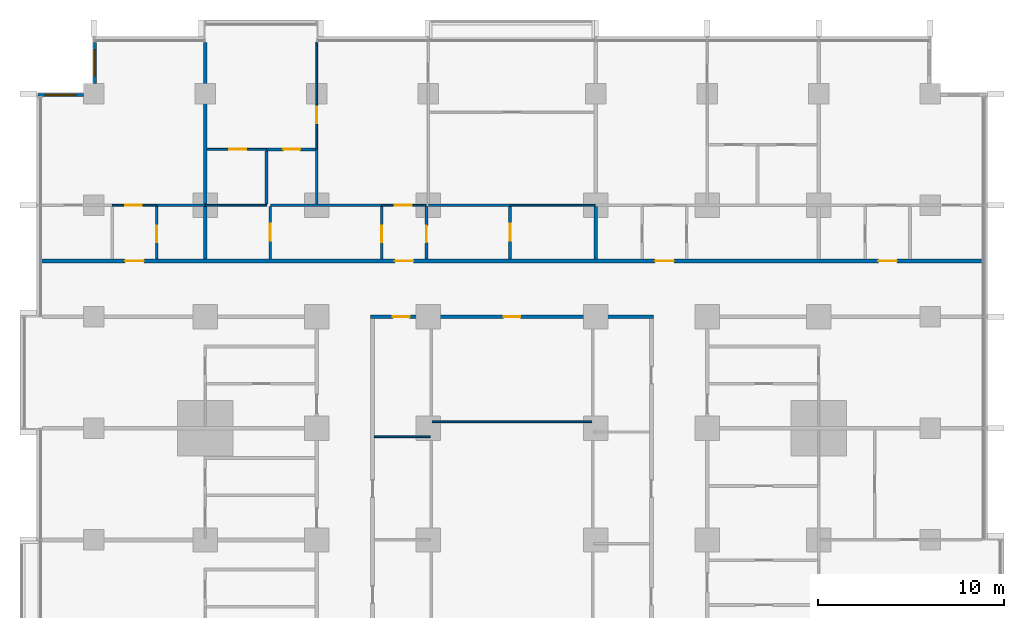
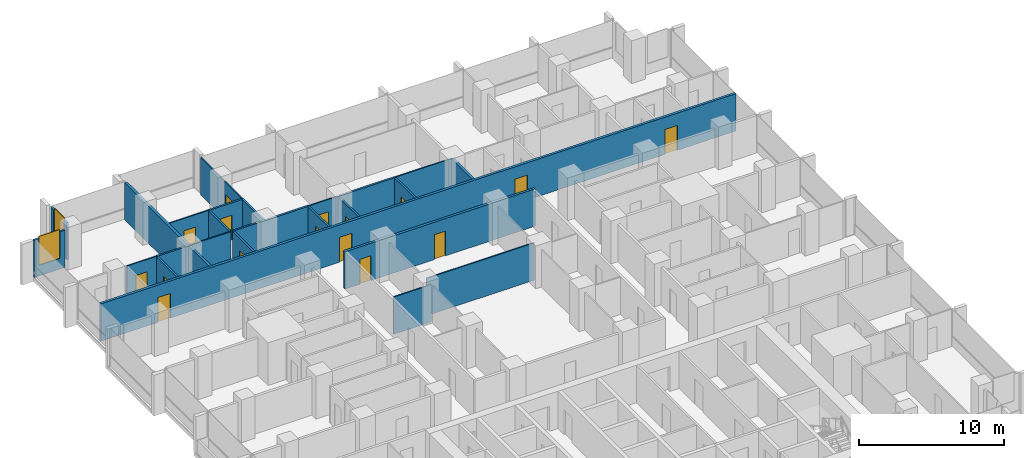
# One storey, part 11 of 18: 26 walls, 16 doors, 2 windows, 18 openings.
"""IFC4 building model written with IfcOpenShell, lengths in metres."""

from ifc_helpers import new_model, si_unit, direction, frame, frame_2d, origin, place, context, subcontext, project, spatial, rectangle, extrude, material, layer, layer_set, type_object, element, fill, save


model = new_model("IFC4")

# Units and contexts
model_context = context("Model", 3, precision=1e-05, world=origin(), true_north=direction((0.0, 1.0)))
body_context = subcontext(model_context, "Body", "Model", "MODEL_VIEW")
ifc_project = project(units=[si_unit("LENGTHUNIT", "METRE"), si_unit("AREAUNIT", "SQUARE_METRE"), si_unit("VOLUMEUNIT", "CUBIC_METRE"), si_unit("PLANEANGLEUNIT", "RADIAN"), si_unit("MASSUNIT", "GRAM", prefix="KILO")], contexts=[model_context])

# Site, building, storey
site_placement = place(None, origin())
site = spatial("IfcSite", under=ifc_project, at=site_placement, CompositionType="ELEMENT")
building_placement = place(site_placement, origin())
building = spatial("IfcBuilding", under=site, at=building_placement, Name="Finial Court Residences", CompositionType="ELEMENT")
storey_placement = place(building_placement, frame((0.0, 0.0, 72.10009765625)))
storey = spatial("IfcBuildingStorey", under=building, at=storey_placement, Name="L17", CompositionType="ELEMENT", Elevation=72.10009765625)

# Walls
ifc_material_1 = material(Name="Gypsum board")
ifc_layer_1 = layer(ifc_material_1, 0.02490234375)
ifc_material_2 = material(Name="Acoustic mineral wool in double frame")
ifc_layer_2 = layer(ifc_material_2, 0.14990234375)
ifc_layer_3 = layer(ifc_material_1, 0.02490234375)
ifc_layer_set_1 = layer_set([ifc_layer_1, ifc_layer_2, ifc_layer_3], Name="Acoustic party wall 200, 1 hour")
wall_type_1 = type_object("IfcWallType", Name="Acoustic party wall 200, 1 hour", PredefinedType="PARTITIONING", material=ifc_layer_set_1)
wall_1_placement = place(storey_placement, frame((-16.5, 16.60009765625, 0.0), z_axis=(0.0, 0.0, 1.0), x_axis=(0.0, 1.0, 0.0)))
element("IfcWall", 1, at=wall_1_placement, inside=storey, type_object=wall_type_1, Name="Partition L17-061", PredefinedType="PARTITIONING", context=body_context, shape_type="SweptSolid", body=[
    extrude(rectangle(XDim=2.824951171875, YDim=0.199951171875, at=frame_2d((1.41259765625, 0.0))), origin(), (0.0, 0.0, 1.0), 3.14990234375),
])
wall_2_placement = place(storey_placement, frame((-16.5, 19.574951171875, 0.0), z_axis=(0.0, 0.0, 1.0), x_axis=(0.0, 1.0, 0.0)))
element("IfcWall", 2, at=wall_2_placement, inside=storey, type_object=wall_type_1, Name="Partition L17-062", PredefinedType="PARTITIONING", context=body_context, shape_type="SweptSolid", body=[
    extrude(rectangle(XDim=8.675048828125, YDim=0.199951171875, at=frame_2d((4.33740234375, 0.0))), origin(), (0.0, 0.0, 1.0), 3.14990234375),
])
wall_3_placement = place(storey_placement, frame((4.5, 16.60009765625, 0.0), z_axis=(0.0, 0.0, 1.0), x_axis=(0.0, 1.0, 0.0)))
element("IfcWall", 3, at=wall_3_placement, inside=storey, type_object=wall_type_1, Name="Partition L17-079", PredefinedType="PARTITIONING", context=body_context, shape_type="SweptSolid", body=[
    extrude(rectangle(XDim=2.824951171875, YDim=0.199951171875, at=frame_2d((1.41259765625, 0.0))), origin(), (0.0, 0.0, 1.0), 3.14990234375),
])

# Wall, openings, doors
ifc_layer_4 = layer(ifc_material_1, 0.02490234375)
ifc_layer_5 = layer(ifc_material_2, 0.14990234375)
ifc_layer_6 = layer(ifc_material_1, 0.02490234375)
ifc_layer_set_2 = layer_set([ifc_layer_4, ifc_layer_5, ifc_layer_6], Name="Corridor wall 200, 1 hour")
wall_type_2 = type_object("IfcWallType", Name="Corridor wall 200, 1 hour", PredefinedType="PARTITIONING", material=ifc_layer_set_2)
wall_4_placement = place(storey_placement, frame((-7.60009765625, 13.5, 0.0), z_axis=(0.0, 0.0, 1.0), x_axis=(1.0, 0.0, 0.0)))
wall_4 = element("IfcWall", 4, at=wall_4_placement, inside=storey, type_object=wall_type_2, Name="Partition L17-033", PredefinedType="PARTITIONING", context=body_context, shape_type="SweptSolid", body=[
    extrude(rectangle(XDim=15.2001953125, YDim=0.199951171875, at=frame_2d((7.60009765625, 0.0))), origin(), (0.0, 0.0, 1.0), 3.14990234375),
])
opening_1_placement = place(wall_4_placement, frame((1.199951171875, 0.0, 0.0)))
opening_1 = element("IfcOpeningElement", 5, at=opening_1_placement, cuts=wall_4, Name="Opening L17-D015", PredefinedType="OPENING", context=body_context, shape_type="SweptSolid", body=[
    extrude(rectangle(XDim=0.89990234375, YDim=2.10009765625, at=frame_2d((0.449951171875, 1.050048828125))), frame((0.0, 0.10986328125, 0.0), z_axis=(0.0, -1.0, 0.0), x_axis=(1.0, 0.0, 0.0)), (0.0, 0.0, 1.0), 0.219970703125),
])
opening_2_placement = place(wall_4_placement, frame((7.14990234375, 0.0, 0.0)))
opening_2 = element("IfcOpeningElement", 6, at=opening_2_placement, cuts=wall_4, Name="Opening L17-D016", PredefinedType="OPENING", context=body_context, shape_type="SweptSolid", body=[
    extrude(rectangle(XDim=0.89990234375, YDim=2.10009765625, at=frame_2d((0.449951171875, 1.050048828125))), frame((0.0, 0.10986328125, 0.0), z_axis=(0.0, -1.0, 0.0), x_axis=(1.0, 0.0, 0.0)), (0.0, 0.0, 1.0), 0.219970703125),
])
ifc_material_3 = material(Name="Timber door leaf in hollow metal frame", Category="wood")
door_type_1 = type_object("IfcDoorType", Name="Fire door set 900 x 2100, 30 minutes", OperationType="SINGLE_SWING_LEFT", PredefinedType="DOOR", material=ifc_material_3)
door_1_placement = place(opening_1_placement, origin())
door_1 = element("IfcDoor", 7, at=door_1_placement, inside=storey, type_object=door_type_1, Name="Door L17-D015", OperationType="SINGLE_SWING_LEFT", OverallHeight=2.10009765625, OverallWidth=0.89990234375, PredefinedType="DOOR", context=body_context, shape_type="SweptSolid", body=[
    extrude(rectangle(XDim=0.89990234375, YDim=2.10009765625, at=frame_2d((0.449951171875, 1.050048828125))), frame((0.0, 0.02490234375, 0.0), z_axis=(0.0, -1.0, 0.0), x_axis=(1.0, 0.0, 0.0)), (0.0, 0.0, 1.0), 0.050048828125),
])
fill(opening_1, door_1)
door_2_placement = place(opening_2_placement, origin())
door_2 = element("IfcDoor", 8, at=door_2_placement, inside=storey, type_object=door_type_1, Name="Door L17-D016", OperationType="SINGLE_SWING_LEFT", OverallHeight=2.10009765625, OverallWidth=0.89990234375, PredefinedType="DOOR", context=body_context, shape_type="SweptSolid", body=[
    extrude(rectangle(XDim=0.89990234375, YDim=2.10009765625, at=frame_2d((0.449951171875, 1.050048828125))), frame((0.0, 0.02490234375, 0.0), z_axis=(0.0, -1.0, 0.0), x_axis=(1.0, 0.0, 0.0)), (0.0, 0.0, 1.0), 0.050048828125),
])
fill(opening_2, door_2)

wall_5_placement = place(storey_placement, frame((-25.35009765625, 16.5, 0.0), z_axis=(0.0, 0.0, 1.0), x_axis=(1.0, 0.0, 0.0)))
wall_5 = element("IfcWall", 9, at=wall_5_placement, inside=storey, type_object=wall_type_2, Name="Partition L17-035", PredefinedType="PARTITIONING", context=body_context, shape_type="SweptSolid", body=[
    extrude(rectangle(XDim=50.7001953125, YDim=0.199951171875, at=frame_2d((25.35009765625, 0.0))), origin(), (0.0, 0.0, 1.0), 3.14990234375),
])
opening_3_placement = place(wall_5_placement, frame((4.550048828125, 0.0, 0.0)))
opening_3 = element("IfcOpeningElement", 10, at=opening_3_placement, cuts=wall_5, Name="Opening L17-D017", PredefinedType="OPENING", context=body_context, shape_type="SweptSolid", body=[
    extrude(rectangle(XDim=1.0, YDim=2.10009765625, at=frame_2d((0.5, 1.050048828125))), frame((0.0, 0.10986328125, 0.0), z_axis=(0.0, -1.0, 0.0), x_axis=(1.0, 0.0, 0.0)), (0.0, 0.0, 1.0), 0.219970703125),
])
opening_4_placement = place(wall_5_placement, frame((19.050048828125, 0.0, 0.0)))
opening_4 = element("IfcOpeningElement", 11, at=opening_4_placement, cuts=wall_5, Name="Opening L17-D018", PredefinedType="OPENING", context=body_context, shape_type="SweptSolid", body=[
    extrude(rectangle(XDim=1.0, YDim=2.10009765625, at=frame_2d((0.5, 1.050048828125))), frame((0.0, 0.10986328125, 0.0), z_axis=(0.0, -1.0, 0.0), x_axis=(1.0, 0.0, 0.0)), (0.0, 0.0, 1.0), 0.219970703125),
])
opening_5_placement = place(wall_5_placement, frame((33.050048828125, 0.0, 0.0)))
opening_5 = element("IfcOpeningElement", 12, at=opening_5_placement, cuts=wall_5, Name="Opening L17-D019", PredefinedType="OPENING", context=body_context, shape_type="SweptSolid", body=[
    extrude(rectangle(XDim=1.0, YDim=2.10009765625, at=frame_2d((0.5, 1.050048828125))), frame((0.0, 0.10986328125, 0.0), z_axis=(0.0, -1.0, 0.0), x_axis=(1.0, 0.0, 0.0)), (0.0, 0.0, 1.0), 0.219970703125),
])
opening_6_placement = place(wall_5_placement, frame((45.050048828125, 0.0, 0.0)))
opening_6 = element("IfcOpeningElement", 13, at=opening_6_placement, cuts=wall_5, Name="Opening L17-D020", PredefinedType="OPENING", context=body_context, shape_type="SweptSolid", body=[
    extrude(rectangle(XDim=1.0, YDim=2.10009765625, at=frame_2d((0.5, 1.050048828125))), frame((0.0, 0.10986328125, 0.0), z_axis=(0.0, -1.0, 0.0), x_axis=(1.0, 0.0, 0.0)), (0.0, 0.0, 1.0), 0.219970703125),
])
door_type_2 = type_object("IfcDoorType", Name="Fire door set 1000 x 2100, 30 minutes", OperationType="SINGLE_SWING_LEFT", PredefinedType="DOOR", material=ifc_material_3)
door_3_placement = place(opening_3_placement, origin())
door_3 = element("IfcDoor", 14, at=door_3_placement, inside=storey, type_object=door_type_2, Name="Door L17-D017", OperationType="SINGLE_SWING_RIGHT", OverallHeight=2.10009765625, OverallWidth=1.0, PredefinedType="DOOR", context=body_context, shape_type="SweptSolid", body=[
    extrude(rectangle(XDim=1.0, YDim=2.10009765625, at=frame_2d((0.5, 1.050048828125))), frame((0.0, 0.02490234375, 0.0), z_axis=(0.0, -1.0, 0.0), x_axis=(1.0, 0.0, 0.0)), (0.0, 0.0, 1.0), 0.050048828125),
])
fill(opening_3, door_3)
door_4_placement = place(opening_4_placement, origin())
door_4 = element("IfcDoor", 15, at=door_4_placement, inside=storey, type_object=door_type_2, Name="Door L17-D018", OperationType="SINGLE_SWING_RIGHT", OverallHeight=2.10009765625, OverallWidth=1.0, PredefinedType="DOOR", context=body_context, shape_type="SweptSolid", body=[
    extrude(rectangle(XDim=1.0, YDim=2.10009765625, at=frame_2d((0.5, 1.050048828125))), frame((0.0, 0.02490234375, 0.0), z_axis=(0.0, -1.0, 0.0), x_axis=(1.0, 0.0, 0.0)), (0.0, 0.0, 1.0), 0.050048828125),
])
fill(opening_4, door_4)
door_5_placement = place(opening_5_placement, origin())
door_5 = element("IfcDoor", 16, at=door_5_placement, inside=storey, type_object=door_type_2, Name="Door L17-D019", OperationType="SINGLE_SWING_LEFT", OverallHeight=2.10009765625, OverallWidth=1.0, PredefinedType="DOOR", context=body_context, shape_type="SweptSolid", body=[
    extrude(rectangle(XDim=1.0, YDim=2.10009765625, at=frame_2d((0.5, 1.050048828125))), frame((0.0, 0.02490234375, 0.0), z_axis=(0.0, -1.0, 0.0), x_axis=(1.0, 0.0, 0.0)), (0.0, 0.0, 1.0), 0.050048828125),
])
fill(opening_5, door_5)
door_6_placement = place(opening_6_placement, origin())
door_6 = element("IfcDoor", 17, at=door_6_placement, inside=storey, type_object=door_type_2, Name="Door L17-D020", OperationType="SINGLE_SWING_LEFT", OverallHeight=2.10009765625, OverallWidth=1.0, PredefinedType="DOOR", context=body_context, shape_type="SweptSolid", body=[
    extrude(rectangle(XDim=1.0, YDim=2.10009765625, at=frame_2d((0.5, 1.050048828125))), frame((0.0, 0.02490234375, 0.0), z_axis=(0.0, -1.0, 0.0), x_axis=(1.0, 0.0, 0.0)), (0.0, 0.0, 1.0), 0.050048828125),
])
fill(opening_6, door_6)

# Walls
ifc_layer_7 = layer(ifc_material_1, 0.012451171875)
ifc_material_4 = material(Name="Mineral wool in light-gauge frame")
ifc_layer_8 = layer(ifc_material_4, 0.074951171875)
ifc_layer_9 = layer(ifc_material_1, 0.012451171875)
ifc_layer_set_3 = layer_set([ifc_layer_7, ifc_layer_8, ifc_layer_9], Name="Gypsum board partition 100")
wall_type_3 = type_object("IfcWallType", Name="Gypsum board partition 100", PredefinedType="PARTITIONING", material=ifc_layer_set_3)
wall_6_placement = place(storey_placement, frame((-7.39990234375, 7.050048828125, 0.0), z_axis=(0.0, 0.0, 1.0), x_axis=(1.0, 0.0, 0.0)))
element("IfcWall", 18, at=wall_6_placement, inside=storey, type_object=wall_type_3, Name="Partition L17-023", PredefinedType="PARTITIONING", context=body_context, shape_type="SweptSolid", body=[
    extrude(rectangle(XDim=3.0, YDim=0.10009765625, at=frame_2d((1.5, 0.0))), origin(), (0.0, 0.0, 1.0), 3.14990234375),
])
wall_7_placement = place(storey_placement, frame((-4.300048828125, 7.85009765625, 0.0), z_axis=(0.0, 0.0, 1.0), x_axis=(1.0, 0.0, 0.0)))
element("IfcWall", 19, at=wall_7_placement, inside=storey, type_object=wall_type_3, Name="Partition L17-027", PredefinedType="PARTITIONING", context=body_context, shape_type="SweptSolid", body=[
    extrude(rectangle(XDim=8.60009765625, YDim=0.10009765625, at=frame_2d((4.300048828125, 0.0))), origin(), (0.0, 0.0, 1.0), 3.14990234375),
])

# Wall, opening, door
wall_8_placement = place(storey_placement, frame((-21.5, 19.5, 0.0), z_axis=(0.0, 0.0, 1.0), x_axis=(1.0, 0.0, 0.0)))
wall_8 = element("IfcWall", 20, at=wall_8_placement, inside=storey, type_object=wall_type_3, Name="Partition L17-036", PredefinedType="PARTITIONING", context=body_context, shape_type="SweptSolid", body=[
    extrude(rectangle(XDim=2.39990234375, YDim=0.10009765625, at=frame_2d((1.199951171875, 0.0))), origin(), (0.0, 0.0, 1.0), 3.14990234375),
])
opening_7_placement = place(wall_8_placement, frame((0.699951171875, 0.0, 0.0)))
opening_7 = element("IfcOpeningElement", 21, at=opening_7_placement, cuts=wall_8, Name="Opening L17-D021", PredefinedType="OPENING", context=body_context, shape_type="SweptSolid", body=[
    extrude(rectangle(XDim=0.89990234375, YDim=2.10009765625, at=frame_2d((0.449951171875, 1.050048828125))), frame((0.0, 0.06005859375, 0.0), z_axis=(0.0, -1.0, 0.0), x_axis=(1.0, 0.0, 0.0)), (0.0, 0.0, 1.0), 0.1201171875),
])
ifc_material_5 = material(Name="Timber door leaf in timber frame", Category="wood")
door_type_3 = type_object("IfcDoorType", Name="Door set 900 x 2100", OperationType="SINGLE_SWING_LEFT", PredefinedType="DOOR", material=ifc_material_5)
door_7_placement = place(opening_7_placement, origin())
door_7 = element("IfcDoor", 22, at=door_7_placement, inside=storey, type_object=door_type_3, Name="Door L17-D021", OperationType="SINGLE_SWING_RIGHT", OverallHeight=2.10009765625, OverallWidth=0.89990234375, PredefinedType="DOOR", context=body_context, shape_type="SweptSolid", body=[
    extrude(rectangle(XDim=0.89990234375, YDim=2.10009765625, at=frame_2d((0.449951171875, 1.050048828125))), frame((0.0, 0.02490234375, 0.0), z_axis=(0.0, -1.0, 0.0), x_axis=(1.0, 0.0, 0.0)), (0.0, 0.0, 1.0), 0.050048828125),
])
fill(opening_7, door_7)

# Wall
wall_9_placement = place(storey_placement, frame((-16.5, 19.5, 0.0), z_axis=(0.0, 0.0, 1.0), x_axis=(1.0, 0.0, 0.0)))
element("IfcWall", 23, at=wall_9_placement, inside=storey, type_object=wall_type_3, Name="Partition L17-037", PredefinedType="PARTITIONING", context=body_context, shape_type="SweptSolid", body=[
    extrude(rectangle(XDim=3.300048828125, YDim=0.10009765625, at=frame_2d((1.64990234375, 0.0))), origin(), (0.0, 0.0, 1.0), 3.14990234375),
])

# Wall, opening, door
wall_10_placement = place(storey_placement, frame((-7.0, 19.5, 0.0), z_axis=(0.0, 0.0, 1.0), x_axis=(1.0, 0.0, 0.0)))
wall_10 = element("IfcWall", 24, at=wall_10_placement, inside=storey, type_object=wall_type_3, Name="Partition L17-038", PredefinedType="PARTITIONING", context=body_context, shape_type="SweptSolid", body=[
    extrude(rectangle(XDim=2.39990234375, YDim=0.10009765625, at=frame_2d((1.199951171875, 0.0))), origin(), (0.0, 0.0, 1.0), 3.14990234375),
])
opening_8_placement = place(wall_10_placement, frame((0.699951171875, 0.0, 0.0)))
opening_8 = element("IfcOpeningElement", 25, at=opening_8_placement, cuts=wall_10, Name="Opening L17-D022", PredefinedType="OPENING", context=body_context, shape_type="SweptSolid", body=[
    extrude(rectangle(XDim=0.89990234375, YDim=2.10009765625, at=frame_2d((0.449951171875, 1.050048828125))), frame((0.0, 0.06005859375, 0.0), z_axis=(0.0, -1.0, 0.0), x_axis=(1.0, 0.0, 0.0)), (0.0, 0.0, 1.0), 0.1201171875),
])
door_8_placement = place(opening_8_placement, origin())
door_8 = element("IfcDoor", 26, at=door_8_placement, inside=storey, type_object=door_type_3, Name="Door L17-D022", OperationType="SINGLE_SWING_LEFT", OverallHeight=2.10009765625, OverallWidth=0.89990234375, PredefinedType="DOOR", context=body_context, shape_type="SweptSolid", body=[
    extrude(rectangle(XDim=0.89990234375, YDim=2.10009765625, at=frame_2d((0.449951171875, 1.050048828125))), frame((0.0, 0.02490234375, 0.0), z_axis=(0.0, -1.0, 0.0), x_axis=(1.0, 0.0, 0.0)), (0.0, 0.0, 1.0), 0.050048828125),
])
fill(opening_8, door_8)

# Wall
wall_11_placement = place(storey_placement, frame((-0.10009765625, 19.5, 0.0), z_axis=(0.0, 0.0, 1.0), x_axis=(1.0, 0.0, 0.0)))
element("IfcWall", 27, at=wall_11_placement, inside=storey, type_object=wall_type_3, Name="Partition L17-039", PredefinedType="PARTITIONING", context=body_context, shape_type="SweptSolid", body=[
    extrude(rectangle(XDim=4.60009765625, YDim=0.10009765625, at=frame_2d((2.300048828125, 0.0))), origin(), (0.0, 0.0, 1.0), 3.14990234375),
])

# Wall, opening, door
wall_12_placement = place(storey_placement, frame((-16.39990234375, 22.5, 0.0), z_axis=(0.0, 0.0, 1.0), x_axis=(1.0, 0.0, 0.0)))
wall_12 = element("IfcWall", 28, at=wall_12_placement, inside=storey, type_object=wall_type_3, Name="Partition L17-049", PredefinedType="PARTITIONING", context=body_context, shape_type="SweptSolid", body=[
    extrude(rectangle(XDim=3.199951171875, YDim=0.10009765625, at=frame_2d((1.60009765625, 0.0))), origin(), (0.0, 0.0, 1.0), 3.14990234375),
])
opening_9_placement = place(wall_12_placement, frame((1.199951171875, 0.0, 0.0)))
opening_9 = element("IfcOpeningElement", 29, at=opening_9_placement, cuts=wall_12, Name="Opening L17-D027", PredefinedType="OPENING", context=body_context, shape_type="SweptSolid", body=[
    extrude(rectangle(XDim=0.89990234375, YDim=2.10009765625, at=frame_2d((0.449951171875, 1.050048828125))), frame((0.0, 0.06005859375, 0.0), z_axis=(0.0, -1.0, 0.0), x_axis=(1.0, 0.0, 0.0)), (0.0, 0.0, 1.0), 0.1201171875),
])
door_9_placement = place(opening_9_placement, origin())
door_9 = element("IfcDoor", 30, at=door_9_placement, inside=storey, type_object=door_type_3, Name="Door L17-D027", OperationType="SINGLE_SWING_RIGHT", OverallHeight=2.10009765625, OverallWidth=0.89990234375, PredefinedType="DOOR", context=body_context, shape_type="SweptSolid", body=[
    extrude(rectangle(XDim=0.89990234375, YDim=2.10009765625, at=frame_2d((0.449951171875, 1.050048828125))), frame((0.0, 0.02490234375, 0.0), z_axis=(0.0, -1.0, 0.0), x_axis=(1.0, 0.0, 0.0)), (0.0, 0.0, 1.0), 0.050048828125),
])
fill(opening_9, door_9)

wall_13_placement = place(storey_placement, frame((-10.5, 22.5, 0.0), z_axis=(0.0, 0.0, 1.0), x_axis=(0.0, 1.0, 0.0)))
wall_13 = element("IfcWall", 31, at=wall_13_placement, inside=storey, type_object=wall_type_3, Name="Partition L17-070", PredefinedType="PARTITIONING", context=body_context, shape_type="SweptSolid", body=[
    extrude(rectangle(XDim=5.75, YDim=0.10009765625, at=frame_2d((2.875, 0.0))), origin(), (0.0, 0.0, 1.0), 3.14990234375),
])
opening_10_placement = place(wall_13_placement, frame((1.39990234375, 0.0, 0.0)))
opening_10 = element("IfcOpeningElement", 32, at=opening_10_placement, cuts=wall_13, Name="Opening L17-D043", PredefinedType="OPENING", context=body_context, shape_type="SweptSolid", body=[
    extrude(rectangle(XDim=0.89990234375, YDim=2.10009765625, at=frame_2d((0.449951171875, 1.050048828125))), frame((0.0, 0.06005859375, 0.0), z_axis=(0.0, -1.0, 0.0), x_axis=(1.0, 0.0, 0.0)), (0.0, 0.0, 1.0), 0.1201171875),
])
door_10_placement = place(opening_10_placement, origin())
door_10 = element("IfcDoor", 33, at=door_10_placement, inside=storey, type_object=door_type_3, Name="Door L17-D043", OperationType="SINGLE_SWING_RIGHT", OverallHeight=2.10009765625, OverallWidth=0.89990234375, PredefinedType="DOOR", context=body_context, shape_type="SweptSolid", body=[
    extrude(rectangle(XDim=0.89990234375, YDim=2.10009765625, at=frame_2d((0.449951171875, 1.050048828125))), frame((0.0, 0.02490234375, 0.0), z_axis=(0.0, -1.0, 0.0), x_axis=(1.0, 0.0, 0.0)), (0.0, 0.0, 1.0), 0.050048828125),
])
fill(opening_10, door_10)

# Walls
ifc_material_6 = material(Name="Moisture-resistant gypsum board")
ifc_layer_10 = layer(ifc_material_6, 0.012451171875)
ifc_layer_11 = layer(ifc_material_4, 0.125)
ifc_layer_12 = layer(ifc_material_6, 0.012451171875)
ifc_layer_set_4 = layer_set([ifc_layer_10, ifc_layer_11, ifc_layer_12], Name="Gypsum board wet-area partition 150")
wall_type_4 = type_object("IfcWallType", Name="Gypsum board wet-area partition 150", PredefinedType="PARTITIONING", material=ifc_layer_set_4)
wall_14_placement = place(storey_placement, frame((-19.10009765625, 19.5, 0.0), z_axis=(0.0, 0.0, 1.0), x_axis=(1.0, 0.0, 0.0)))
element("IfcWall", 34, at=wall_14_placement, inside=storey, type_object=wall_type_4, Name="Partition L17-043", PredefinedType="PARTITIONING", context=body_context, shape_type="SweptSolid", body=[
    extrude(rectangle(XDim=2.60009765625, YDim=0.14990234375, at=frame_2d((1.300048828125, 0.0))), origin(), (0.0, 0.0, 1.0), 3.14990234375),
])
wall_15_placement = place(storey_placement, frame((-13.0, 19.5, 0.0), z_axis=(0.0, 0.0, 1.0), x_axis=(1.0, 0.0, 0.0)))
element("IfcWall", 35, at=wall_15_placement, inside=storey, type_object=wall_type_4, Name="Partition L17-044", PredefinedType="PARTITIONING", context=body_context, shape_type="SweptSolid", body=[
    extrude(rectangle(XDim=6.0, YDim=0.14990234375, at=frame_2d((3.0, 0.0))), origin(), (0.0, 0.0, 1.0), 3.14990234375),
])
wall_16_placement = place(storey_placement, frame((-4.5, 19.5, 0.0), z_axis=(0.0, 0.0, 1.0), x_axis=(1.0, 0.0, 0.0)))
element("IfcWall", 36, at=wall_16_placement, inside=storey, type_object=wall_type_4, Name="Partition L17-045", PredefinedType="PARTITIONING", context=body_context, shape_type="SweptSolid", body=[
    extrude(rectangle(XDim=4.39990234375, YDim=0.14990234375, at=frame_2d((2.199951171875, 0.0))), origin(), (0.0, 0.0, 1.0), 3.14990234375),
])

# Wall, opening, door
wall_17_placement = place(storey_placement, frame((-13.199951171875, 22.5, 0.0), z_axis=(0.0, 0.0, 1.0), x_axis=(1.0, 0.0, 0.0)))
wall_17 = element("IfcWall", 37, at=wall_17_placement, inside=storey, type_object=wall_type_4, Name="Partition L17-050", PredefinedType="PARTITIONING", context=body_context, shape_type="SweptSolid", body=[
    extrude(rectangle(XDim=2.625, YDim=0.14990234375, at=frame_2d((1.3125, 0.0))), origin(), (0.0, 0.0, 1.0), 3.14990234375),
])
opening_11_placement = place(wall_17_placement, frame((0.89990234375, 0.0, 0.0)))
opening_11 = element("IfcOpeningElement", 38, at=opening_11_placement, cuts=wall_17, Name="Opening L17-D028", PredefinedType="OPENING", context=body_context, shape_type="SweptSolid", body=[
    extrude(rectangle(XDim=0.89990234375, YDim=2.10009765625, at=frame_2d((0.449951171875, 1.050048828125))), frame((0.0, 0.0849609375, 0.0), z_axis=(0.0, -1.0, 0.0), x_axis=(1.0, 0.0, 0.0)), (0.0, 0.0, 1.0), 0.169921875),
])
door_11_placement = place(opening_11_placement, origin())
door_11 = element("IfcDoor", 39, at=door_11_placement, inside=storey, type_object=door_type_3, Name="Door L17-D028", OperationType="SINGLE_SWING_RIGHT", OverallHeight=2.10009765625, OverallWidth=0.89990234375, PredefinedType="DOOR", context=body_context, shape_type="SweptSolid", body=[
    extrude(rectangle(XDim=0.89990234375, YDim=2.10009765625, at=frame_2d((0.449951171875, 1.050048828125))), frame((0.0, 0.02490234375, 0.0), z_axis=(0.0, -1.0, 0.0), x_axis=(1.0, 0.0, 0.0)), (0.0, 0.0, 1.0), 0.050048828125),
])
fill(opening_11, door_11)

wall_18_placement = place(storey_placement, frame((-19.10009765625, 16.60009765625, 0.0), z_axis=(0.0, 0.0, 1.0), x_axis=(0.0, 1.0, 0.0)))
wall_18 = element("IfcWall", 40, at=wall_18_placement, inside=storey, type_object=wall_type_4, Name="Partition L17-056", PredefinedType="PARTITIONING", context=body_context, shape_type="SweptSolid", body=[
    extrude(rectangle(XDim=2.824951171875, YDim=0.14990234375, at=frame_2d((1.41259765625, 0.0))), origin(), (0.0, 0.0, 1.0), 3.14990234375),
])
opening_12_placement = place(wall_18_placement, frame((0.89990234375, 0.0, 0.0)))
opening_12 = element("IfcOpeningElement", 41, at=opening_12_placement, cuts=wall_18, Name="Opening L17-D033", PredefinedType="OPENING", context=body_context, shape_type="SweptSolid", body=[
    extrude(rectangle(XDim=0.89990234375, YDim=2.10009765625, at=frame_2d((0.449951171875, 1.050048828125))), frame((0.0, 0.0849609375, 0.0), z_axis=(0.0, -1.0, 0.0), x_axis=(1.0, 0.0, 0.0)), (0.0, 0.0, 1.0), 0.169921875),
])
door_12_placement = place(opening_12_placement, origin())
door_12 = element("IfcDoor", 42, at=door_12_placement, inside=storey, type_object=door_type_3, Name="Door L17-D033", OperationType="SINGLE_SWING_RIGHT", OverallHeight=2.10009765625, OverallWidth=0.89990234375, PredefinedType="DOOR", context=body_context, shape_type="SweptSolid", body=[
    extrude(rectangle(XDim=0.89990234375, YDim=2.10009765625, at=frame_2d((0.449951171875, 1.050048828125))), frame((0.0, 0.02490234375, 0.0), z_axis=(0.0, -1.0, 0.0), x_axis=(1.0, 0.0, 0.0)), (0.0, 0.0, 1.0), 0.050048828125),
])
fill(opening_12, door_12)

# Wall
wall_19_placement = place(storey_placement, frame((-13.199951171875, 19.574951171875, 0.0), z_axis=(0.0, 0.0, 1.0), x_axis=(0.0, 1.0, 0.0)))
element("IfcWall", 43, at=wall_19_placement, inside=storey, type_object=wall_type_4, Name="Partition L17-067", PredefinedType="PARTITIONING", context=body_context, shape_type="SweptSolid", body=[
    extrude(rectangle(XDim=2.85009765625, YDim=0.14990234375, at=frame_2d((1.425048828125, 0.0))), origin(), (0.0, 0.0, 1.0), 3.14990234375),
])

# Wall, opening, door
wall_20_placement = place(storey_placement, frame((-13.0, 16.60009765625, 0.0), z_axis=(0.0, 0.0, 1.0), x_axis=(0.0, 1.0, 0.0)))
wall_20 = element("IfcWall", 44, at=wall_20_placement, inside=storey, type_object=wall_type_4, Name="Partition L17-068", PredefinedType="PARTITIONING", context=body_context, shape_type="SweptSolid", body=[
    extrude(rectangle(XDim=2.824951171875, YDim=0.14990234375, at=frame_2d((1.41259765625, 0.0))), origin(), (0.0, 0.0, 1.0), 3.14990234375),
])
opening_13_placement = place(wall_20_placement, frame((1.0, 0.0, 0.0)))
opening_13 = element("IfcOpeningElement", 45, at=opening_13_placement, cuts=wall_20, Name="Opening L17-D040", PredefinedType="OPENING", context=body_context, shape_type="SweptSolid", body=[
    extrude(rectangle(XDim=0.89990234375, YDim=2.10009765625, at=frame_2d((0.449951171875, 1.050048828125))), frame((0.0, 0.0849609375, 0.0), z_axis=(0.0, -1.0, 0.0), x_axis=(1.0, 0.0, 0.0)), (0.0, 0.0, 1.0), 0.169921875),
])
door_13_placement = place(opening_13_placement, origin())
door_13 = element("IfcDoor", 46, at=door_13_placement, inside=storey, type_object=door_type_3, Name="Door L17-D040", OperationType="SINGLE_SWING_RIGHT", OverallHeight=2.10009765625, OverallWidth=0.89990234375, PredefinedType="DOOR", context=body_context, shape_type="SweptSolid", body=[
    extrude(rectangle(XDim=0.89990234375, YDim=2.10009765625, at=frame_2d((0.449951171875, 1.050048828125))), frame((0.0, 0.02490234375, 0.0), z_axis=(0.0, -1.0, 0.0), x_axis=(1.0, 0.0, 0.0)), (0.0, 0.0, 1.0), 0.050048828125),
])
fill(opening_13, door_13)

# Wall
wall_21_placement = place(storey_placement, frame((-10.5, 19.574951171875, 0.0), z_axis=(0.0, 0.0, 1.0), x_axis=(0.0, 1.0, 0.0)))
element("IfcWall", 47, at=wall_21_placement, inside=storey, type_object=wall_type_4, Name="Partition L17-071", PredefinedType="PARTITIONING", context=body_context, shape_type="SweptSolid", body=[
    extrude(rectangle(XDim=2.925048828125, YDim=0.14990234375, at=frame_2d((1.46240234375, 0.0))), origin(), (0.0, 0.0, 1.0), 3.14990234375),
])

# Wall, opening, door
wall_22_placement = place(storey_placement, frame((-7.0, 16.60009765625, 0.0), z_axis=(0.0, 0.0, 1.0), x_axis=(0.0, 1.0, 0.0)))
wall_22 = element("IfcWall", 48, at=wall_22_placement, inside=storey, type_object=wall_type_4, Name="Partition L17-073", PredefinedType="PARTITIONING", context=body_context, shape_type="SweptSolid", body=[
    extrude(rectangle(XDim=2.824951171875, YDim=0.14990234375, at=frame_2d((1.41259765625, 0.0))), origin(), (0.0, 0.0, 1.0), 3.14990234375),
])
opening_14_placement = place(wall_22_placement, frame((0.89990234375, 0.0, 0.0)))
opening_14 = element("IfcOpeningElement", 49, at=opening_14_placement, cuts=wall_22, Name="Opening L17-D046", PredefinedType="OPENING", context=body_context, shape_type="SweptSolid", body=[
    extrude(rectangle(XDim=0.89990234375, YDim=2.10009765625, at=frame_2d((0.449951171875, 1.050048828125))), frame((0.0, 0.0849609375, 0.0), z_axis=(0.0, -1.0, 0.0), x_axis=(1.0, 0.0, 0.0)), (0.0, 0.0, 1.0), 0.169921875),
])
door_14_placement = place(opening_14_placement, origin())
door_14 = element("IfcDoor", 50, at=door_14_placement, inside=storey, type_object=door_type_3, Name="Door L17-D046", OperationType="SINGLE_SWING_LEFT", OverallHeight=2.10009765625, OverallWidth=0.89990234375, PredefinedType="DOOR", context=body_context, shape_type="SweptSolid", body=[
    extrude(rectangle(XDim=0.89990234375, YDim=2.10009765625, at=frame_2d((0.449951171875, 1.050048828125))), frame((0.0, 0.02490234375, 0.0), z_axis=(0.0, -1.0, 0.0), x_axis=(1.0, 0.0, 0.0)), (0.0, 0.0, 1.0), 0.050048828125),
])
fill(opening_14, door_14)

wall_23_placement = place(storey_placement, frame((-4.60009765625, 16.60009765625, 0.0), z_axis=(0.0, 0.0, 1.0), x_axis=(0.0, 1.0, 0.0)))
wall_23 = element("IfcWall", 51, at=wall_23_placement, inside=storey, type_object=wall_type_4, Name="Partition L17-074", PredefinedType="PARTITIONING", context=body_context, shape_type="SweptSolid", body=[
    extrude(rectangle(XDim=2.824951171875, YDim=0.14990234375, at=frame_2d((1.41259765625, 0.0))), origin(), (0.0, 0.0, 1.0), 3.14990234375),
])
opening_15_placement = place(wall_23_placement, frame((0.89990234375, 0.0, 0.0)))
opening_15 = element("IfcOpeningElement", 52, at=opening_15_placement, cuts=wall_23, Name="Opening L17-D047", PredefinedType="OPENING", context=body_context, shape_type="SweptSolid", body=[
    extrude(rectangle(XDim=0.89990234375, YDim=2.10009765625, at=frame_2d((0.449951171875, 1.050048828125))), frame((0.0, 0.0849609375, 0.0), z_axis=(0.0, -1.0, 0.0), x_axis=(1.0, 0.0, 0.0)), (0.0, 0.0, 1.0), 0.169921875),
])
door_15_placement = place(opening_15_placement, origin())
door_15 = element("IfcDoor", 53, at=door_15_placement, inside=storey, type_object=door_type_3, Name="Door L17-D047", OperationType="SINGLE_SWING_RIGHT", OverallHeight=2.10009765625, OverallWidth=0.89990234375, PredefinedType="DOOR", context=body_context, shape_type="SweptSolid", body=[
    extrude(rectangle(XDim=0.89990234375, YDim=2.10009765625, at=frame_2d((0.449951171875, 1.050048828125))), frame((0.0, 0.02490234375, 0.0), z_axis=(0.0, -1.0, 0.0), x_axis=(1.0, 0.0, 0.0)), (0.0, 0.0, 1.0), 0.050048828125),
])
fill(opening_15, door_15)

wall_24_placement = place(storey_placement, frame((-0.10009765625, 16.60009765625, 0.0), z_axis=(0.0, 0.0, 1.0), x_axis=(0.0, 1.0, 0.0)))
wall_24 = element("IfcWall", 54, at=wall_24_placement, inside=storey, type_object=wall_type_4, Name="Partition L17-077", PredefinedType="PARTITIONING", context=body_context, shape_type="SweptSolid", body=[
    extrude(rectangle(XDim=2.824951171875, YDim=0.14990234375, at=frame_2d((1.41259765625, 0.0))), origin(), (0.0, 0.0, 1.0), 3.14990234375),
])
opening_16_placement = place(wall_24_placement, frame((1.0, 0.0, 0.0)))
opening_16 = element("IfcOpeningElement", 55, at=opening_16_placement, cuts=wall_24, Name="Opening L17-D049", PredefinedType="OPENING", context=body_context, shape_type="SweptSolid", body=[
    extrude(rectangle(XDim=0.89990234375, YDim=2.10009765625, at=frame_2d((0.449951171875, 1.050048828125))), frame((0.0, 0.0849609375, 0.0), z_axis=(0.0, -1.0, 0.0), x_axis=(1.0, 0.0, 0.0)), (0.0, 0.0, 1.0), 0.169921875),
])
door_16_placement = place(opening_16_placement, origin())
door_16 = element("IfcDoor", 56, at=door_16_placement, inside=storey, type_object=door_type_3, Name="Door L17-D049", OperationType="SINGLE_SWING_RIGHT", OverallHeight=2.10009765625, OverallWidth=0.89990234375, PredefinedType="DOOR", context=body_context, shape_type="SweptSolid", body=[
    extrude(rectangle(XDim=0.89990234375, YDim=2.10009765625, at=frame_2d((0.449951171875, 1.050048828125))), frame((0.0, 0.02490234375, 0.0), z_axis=(0.0, -1.0, 0.0), x_axis=(1.0, 0.0, 0.0)), (0.0, 0.0, 1.0), 0.050048828125),
])
fill(opening_16, door_16)

# Wall, opening, window
ifc_material_7 = material(Name="Natural limestone", Category="masonry")
ifc_layer_13 = layer(ifc_material_7, 0.14990234375)
ifc_layer_set_5 = layer_set([ifc_layer_13], Name="Limestone clad wall 150")
wall_type_5 = type_object("IfcWallType", Name="Limestone clad wall 150", PredefinedType="SOLIDWALL", material=ifc_layer_set_5)
wall_25_placement = place(storey_placement, frame((-22.425048828125, 26.050048828125, 0.0), z_axis=(0.0, 0.0, 1.0), x_axis=(0.0, 1.0, 0.0)))
wall_25 = element("IfcWall", 57, at=wall_25_placement, inside=storey, type_object=wall_type_5, Name="E-L17-NWW16", PredefinedType="SOLIDWALL", context=body_context, shape_type="SweptSolid", body=[
    extrude(rectangle(XDim=2.199951171875, YDim=0.14990234375, at=frame_2d((1.10009765625, 0.0))), origin(), (0.0, 0.0, 1.0), 3.14990234375),
])
opening_17_placement = place(wall_25_placement, frame((0.39990234375, 0.0, 0.89990234375)))
opening_17 = element("IfcOpeningElement", 58, at=opening_17_placement, cuts=wall_25, Name="Opening WE17-05", PredefinedType="OPENING", context=body_context, shape_type="SweptSolid", body=[
    extrude(rectangle(XDim=1.39990234375, YDim=2.39990234375, at=frame_2d((0.699951171875, 1.199951171875))), frame((0.0, 0.0849609375, 0.0), z_axis=(0.0, -1.0, 0.0), x_axis=(1.0, 0.0, 0.0)), (0.0, 0.0, 1.0), 0.169921875),
])
ifc_material_8 = material(Name="Clear low-e glass", Category="glass")
window_type_1 = type_object("IfcWindowType", Name="Corner window 1400 x 2400", PartitioningType="SINGLE_PANEL", PredefinedType="WINDOW", material=ifc_material_8)
window_1_placement = place(opening_17_placement, origin())
window_1 = element("IfcWindow", 59, at=window_1_placement, inside=storey, type_object=window_type_1, Name="E-L17-NWW16-W1", OverallHeight=2.39990234375, OverallWidth=1.39990234375, PartitioningType="SINGLE_PANEL", PredefinedType="WINDOW", context=body_context, shape_type="SweptSolid", body=[
    extrude(rectangle(XDim=1.39990234375, YDim=2.39990234375, at=frame_2d((0.699951171875, 1.199951171875))), frame((0.0, 0.030029296875, 0.0), z_axis=(0.0, -1.0, 0.0), x_axis=(1.0, 0.0, 0.0)), (0.0, 0.0, 1.0), 0.06005859375),
])
fill(opening_17, window_1)

wall_26_placement = place(storey_placement, frame((-25.5, 25.425048828125, 0.0), z_axis=(0.0, 0.0, 1.0), x_axis=(1.0, 0.0, 0.0)))
wall_26 = element("IfcWall", 60, at=wall_26_placement, inside=storey, type_object=wall_type_5, Name="E-L17-NWN17", PredefinedType="SOLIDWALL", context=body_context, shape_type="SweptSolid", body=[
    extrude(rectangle(XDim=2.449951171875, YDim=0.14990234375, at=frame_2d((1.22509765625, 0.0))), origin(), (0.0, 0.0, 1.0), 3.14990234375),
])
opening_18_placement = place(wall_26_placement, frame((0.39990234375, 0.0, 0.89990234375)))
opening_18 = element("IfcOpeningElement", 61, at=opening_18_placement, cuts=wall_26, Name="Opening WE17-06", PredefinedType="OPENING", context=body_context, shape_type="SweptSolid", body=[
    extrude(rectangle(XDim=1.64990234375, YDim=2.39990234375, at=frame_2d((0.824951171875, 1.199951171875))), frame((0.0, 0.0849609375, 0.0), z_axis=(0.0, -1.0, 0.0), x_axis=(1.0, 0.0, 0.0)), (0.0, 0.0, 1.0), 0.169921875),
])
window_type_2 = type_object("IfcWindowType", Name="Corner window 1650 x 2400", PartitioningType="SINGLE_PANEL", PredefinedType="WINDOW", material=ifc_material_8)
window_2_placement = place(opening_18_placement, origin())
window_2 = element("IfcWindow", 62, at=window_2_placement, inside=storey, type_object=window_type_2, Name="E-L17-NWN17-W1", OverallHeight=2.39990234375, OverallWidth=1.64990234375, PartitioningType="SINGLE_PANEL", PredefinedType="WINDOW", context=body_context, shape_type="SweptSolid", body=[
    extrude(rectangle(XDim=1.64990234375, YDim=2.39990234375, at=frame_2d((0.824951171875, 1.199951171875))), frame((0.0, 0.030029296875, 0.0), z_axis=(0.0, -1.0, 0.0), x_axis=(1.0, 0.0, 0.0)), (0.0, 0.0, 1.0), 0.06005859375),
])
fill(opening_18, window_2)

save(model, "model.ifc")
